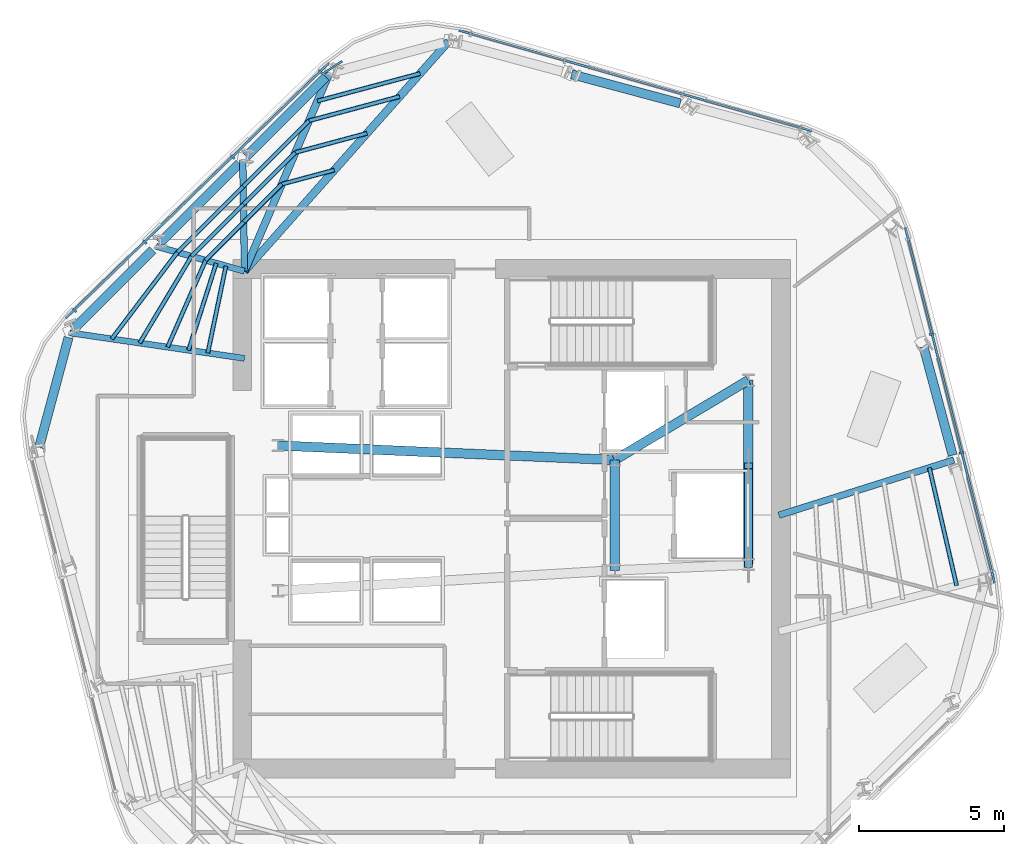
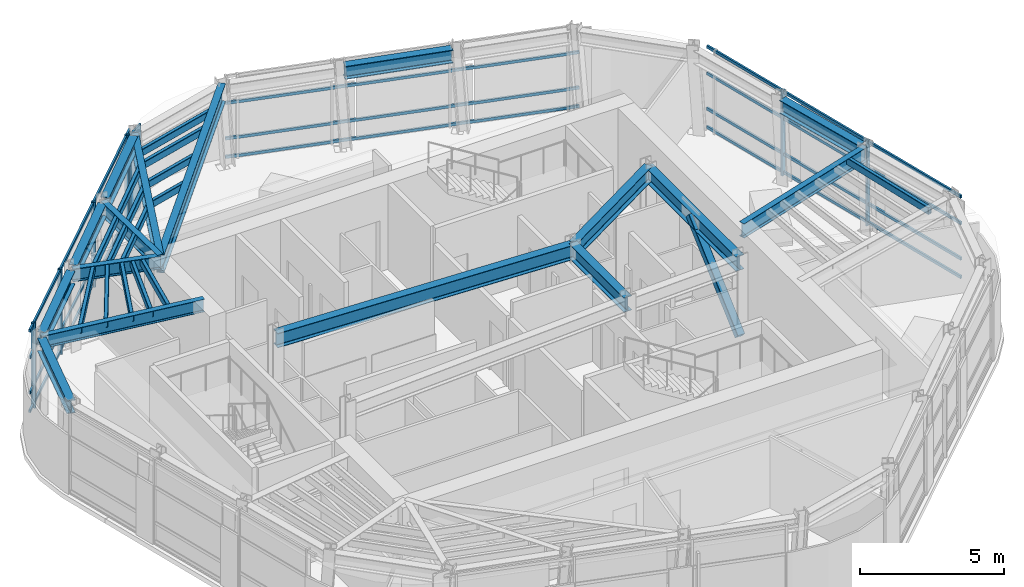
# One storey, part 4 of 14: 35 members, 16 beams, 3 elements without a shape of their own.
"""IFC4 building model written with IfcOpenShell, lengths in metres."""

from ifc_helpers import new_model, si_unit, direction, frame, origin, origin_2d, place, context, subcontext, project, spatial, rectangle, hollow_rectangle, i_section, extrude, material, layer, layer_set, material_profile, profile_set, type_object, element, aggregate, save


model = new_model("IFC4")

# Units and contexts
model_context = context("Model", 3, precision=1e-05, world=origin(), true_north=direction((0.0, 1.0)))
body_context = subcontext(model_context, "Body", "Model", "MODEL_VIEW")
ifc_project = project(units=[si_unit("LENGTHUNIT", "METRE"), si_unit("AREAUNIT", "SQUARE_METRE"), si_unit("VOLUMEUNIT", "CUBIC_METRE"), si_unit("PLANEANGLEUNIT", "RADIAN"), si_unit("MASSUNIT", "GRAM", prefix="KILO")], contexts=[model_context])

# Site, building, storey
site_placement = place(None, origin())
site = spatial("IfcSite", under=ifc_project, at=site_placement, CompositionType="ELEMENT")
building_placement = place(site_placement, origin())
building = spatial("IfcBuilding", under=site, at=building_placement, Name="Valkerne Bourse Tower", CompositionType="ELEMENT")
storey_placement = place(building_placement, frame((0.0, 0.0, 213.199951171875)))
storey = spatial("IfcBuildingStorey", under=building, at=storey_placement, Name="L54", CompositionType="ELEMENT", Elevation=213.199951171875)

# Beams
ifc_material_1 = material(Name="Steel ASTM A992", Category="steel")
ifc_material_profile_1 = material_profile(ifc_material_1, i_section(OverallWidth=0.31494140625, OverallDepth=0.5537109375, WebThickness=0.0166015625, FlangeThickness=0.026123046875, FilletRadius=0.020263671875, at=origin_2d()), Name="W21X132")
ifc_profile_set_1 = profile_set([ifc_material_profile_1], Name="Steel ASTM A992")
beam_type_1 = type_object("IfcBeamType", Name="BM-W21X132", PredefinedType="BEAM", material=ifc_profile_set_1)
beam_1_placement = place(storey_placement, frame((52.603759765625, 41.1796875, 3.3232421875), z_axis=(-0.965921312732, 0.258835889338, 0.0), x_axis=(-0.258835889338, -0.965921312732, 0.0)))
element("IfcBeam", 1, at=beam_1_placement, inside=storey, type_object=beam_type_1, Name="L54 Hexagonal Spandrel Ring Beam 01", PredefinedType="BEAM", context=body_context, shape_type="SweptSolid", body=[
    extrude(i_section(OverallWidth=0.31494140625, OverallDepth=0.5537109375, WebThickness=0.0166015625, FlangeThickness=0.026123046875, FilletRadius=0.020263671875, at=origin_2d()), origin(), (0.0, 0.0, 1.0), 3.871826171875),
])
for number, where, z_axis, x_axis, name in (
    (2, (40.400146484375, 42.094482421875, 3.3232421875), (-0.707106781187, -0.707106781187, 0.0), (0.707106781187, -0.707106781187, 0.0), "L54 Hexagonal Spandrel Ring Beam 04"),
    (3, (37.421875, 39.1162109375, 3.3232421875), (-0.707106781187, -0.707106781187, 0.0), (0.707106781187, -0.707106781187, 0.0), "L54 Hexagonal Spandrel Ring Beam 05"),
    (4, (34.443603515625, 36.1376953125, 3.3232421875), (-0.707138306935, -0.707075254032, 0.0), (0.707075254032, -0.707138306935, 0.0), "L54 Hexagonal Spandrel Ring Beam 06"),
):
    element("IfcBeam", number, at=place(storey_placement, frame(where, z_axis=z_axis, x_axis=x_axis)), inside=storey, type_object=beam_type_1, Name=name, PredefinedType="BEAM", context=body_context, shape_type="SweptSolid", body=[
        extrude(i_section(OverallWidth=0.31494140625, OverallDepth=0.5537109375, WebThickness=0.0166015625, FlangeThickness=0.026123046875, FilletRadius=0.020263671875, at=origin_2d()), origin(), (0.0, 0.0, 1.0), 3.8720703125),
    ])
beam_2_placement = place(storey_placement, frame((31.54150390625, 33.115478515625, 3.3232421875), z_axis=(-0.258873209691, -0.965911311304, 0.0), x_axis=(0.965911311304, -0.258873209691, 0.0)))
element("IfcBeam", 5, at=beam_2_placement, inside=storey, type_object=beam_type_1, Name="L54 Hexagonal Spandrel Ring Beam 07", PredefinedType="BEAM", context=body_context, shape_type="SweptSolid", body=[
    extrude(i_section(OverallWidth=0.31494140625, OverallDepth=0.5537109375, WebThickness=0.0166015625, FlangeThickness=0.026123046875, FilletRadius=0.020263671875, at=origin_2d()), origin(), (0.0, 0.0, 1.0), 3.915771484375),
])
beam_3_placement = place(storey_placement, frame((61.98193359375, 29.063720703125, 3.3232421875), z_axis=(-0.258835889338, 0.965921312732, 0.0), x_axis=(-0.965921312732, -0.258835889338, 0.0)))
element("IfcBeam", 6, at=beam_3_placement, inside=storey, type_object=beam_type_1, Name="L54 Hexagonal Spandrel Ring Beam 21", PredefinedType="BEAM", context=body_context, shape_type="SweptSolid", body=[
    extrude(i_section(OverallWidth=0.31494140625, OverallDepth=0.5537109375, WebThickness=0.0166015625, FlangeThickness=0.026123046875, FilletRadius=0.020263671875, at=origin_2d()), origin(), (0.0, 0.0, 1.0), 3.871826171875),
])
ifc_material_profile_2 = material_profile(ifc_material_1, i_section(OverallWidth=0.209228515625, OverallDepth=0.533447265625, WebThickness=0.01025390625, FlangeThickness=0.015625, FilletRadius=0.017822265625, at=origin_2d()), Name="W21X62")
ifc_profile_set_2 = profile_set([ifc_material_profile_2], Name="Steel ASTM A992")
beam_type_2 = type_object("IfcBeamType", Name="BM-W21X62", PredefinedType="JOIST", material=ifc_profile_set_2)
beam_4_placement = place(storey_placement, frame((31.58544921875, 33.279541015625, 3.333251953125), z_axis=(0.989474112748, -0.144709986533, 0.0), x_axis=(0.144709986533, 0.989474112748, 0.0)))
element("IfcBeam", 7, at=beam_4_placement, inside=storey, type_object=beam_type_2, Name="L54 Radial Composite Floor Beam 07", PredefinedType="JOIST", context=body_context, shape_type="SweptSolid", body=[
    extrude(i_section(OverallWidth=0.209228515625, OverallDepth=0.533447265625, WebThickness=0.01025390625, FlangeThickness=0.015625, FilletRadius=0.017822265625, at=origin_2d()), origin(), (0.0, 0.0, 1.0), 6.07861328125),
])
ifc_material_profile_3 = material_profile(ifc_material_1, i_section(OverallWidth=0.2138671875, OverallDepth=0.548583984375, WebThickness=0.0146484375, FlangeThickness=0.023681640625, FilletRadius=0.017822265625, at=origin_2d()), Name="W21X93")
ifc_profile_set_3 = profile_set([ifc_material_profile_3], Name="Steel ASTM A992")
beam_type_3 = type_object("IfcBeamType", Name="BM-W21X93", PredefinedType="BEAM", material=ifc_profile_set_3)
beam_5_placement = place(storey_placement, frame((34.563720703125, 36.258056640625, 3.32568359375), z_axis=(0.962305441165, -0.271971024017, 0.0), x_axis=(0.271971024017, 0.962305441165, 0.0)))
element("IfcBeam", 8, at=beam_5_placement, inside=storey, type_object=beam_type_3, Name="L54 Radial Composite Floor Beam 06", PredefinedType="BEAM", context=body_context, shape_type="SweptSolid", body=[
    extrude(i_section(OverallWidth=0.2138671875, OverallDepth=0.548583984375, WebThickness=0.0146484375, FlangeThickness=0.023681640625, FilletRadius=0.017822265625, at=origin_2d()), origin(), (0.0, 0.0, 1.0), 3.1552734375),
])
ifc_material_profile_4 = material_profile(ifc_material_1, i_section(OverallWidth=0.3251953125, OverallDepth=0.612060546875, WebThickness=0.0126953125, FlangeThickness=0.01904296875, FilletRadius=0.020263671875, at=origin_2d()), Name="W24X104")
ifc_profile_set_4 = profile_set([ifc_material_profile_4], Name="Steel ASTM A992")
beam_type_4 = type_object("IfcBeamType", Name="BM-W24X104", PredefinedType="BEAM", material=ifc_profile_set_4)
beam_6_placement = place(storey_placement, frame((50.35009765625, 25.10009765625, 3.2939453125), z_axis=(0.0, 1.0, 0.0), x_axis=(-1.0, 0.0, 0.0)))
element("IfcBeam", 9, at=beam_6_placement, inside=storey, type_object=beam_type_4, Name="L54 Core Frame Girder CG-CE", PredefinedType="BEAM", context=body_context, shape_type="SweptSolid", body=[
    extrude(i_section(OverallWidth=0.3251953125, OverallDepth=0.612060546875, WebThickness=0.0126953125, FlangeThickness=0.01904296875, FilletRadius=0.020263671875, at=origin_2d()), origin(), (0.0, 0.0, 1.0), 3.7998046875),
])
beam_7_placement = place(storey_placement, frame((50.35009765625, 28.89990234375, 3.2939453125), z_axis=(0.858307823492, 0.513135148019, 0.0), x_axis=(-0.513135148019, 0.858307823492, 0.0)))
element("IfcBeam", 10, at=beam_7_placement, inside=storey, type_object=beam_type_4, Name="L54 Core Frame Girder CG-NE", PredefinedType="BEAM", context=body_context, shape_type="SweptSolid", body=[
    extrude(i_section(OverallWidth=0.3251953125, OverallDepth=0.612060546875, WebThickness=0.0126953125, FlangeThickness=0.01904296875, FilletRadius=0.020263671875, at=origin_2d()), origin(), (0.0, 0.0, 1.0), 5.359130859375),
])
beam_8_placement = place(storey_placement, frame((54.949951171875, 25.300048828125, 3.2939453125), z_axis=(0.0, 1.0, 0.0), x_axis=(-1.0, 0.0, 0.0)))
element("IfcBeam", 11, at=beam_8_placement, inside=storey, type_object=beam_type_4, Name="L54 Core Frame Girder CG-EE", PredefinedType="BEAM", context=body_context, shape_type="SweptSolid", body=[
    extrude(i_section(OverallWidth=0.3251953125, OverallDepth=0.612060546875, WebThickness=0.0126953125, FlangeThickness=0.01904296875, FilletRadius=0.020263671875, at=origin_2d()), origin(), (0.0, 0.0, 1.0), 6.349853515625),
])
beam_9_placement = place(storey_placement, frame((38.75, 29.39990234375, 3.2939453125), z_axis=(0.999072354402, -0.043063101019, 0.0), x_axis=(0.043063101019, 0.999072354402, 0.0)))
element("IfcBeam", 12, at=beam_9_placement, inside=storey, type_object=beam_type_4, Name="L54 Core Frame Girder CG-NW", PredefinedType="BEAM", context=body_context, shape_type="SweptSolid", body=[
    extrude(i_section(OverallWidth=0.3251953125, OverallDepth=0.612060546875, WebThickness=0.0126953125, FlangeThickness=0.01904296875, FilletRadius=0.020263671875, at=origin_2d()), origin(), (0.0, 0.0, 1.0), 11.61083984375),
])
ifc_material_profile_5 = material_profile(ifc_material_1, i_section(OverallWidth=0.228271484375, OverallDepth=0.607177734375, WebThickness=0.01123046875, FlangeThickness=0.017333984375, FilletRadius=0.017822265625, at=origin_2d()), Name="W24X76")
ifc_profile_set_5 = profile_set([ifc_material_profile_5], Name="Steel ASTM A992")
beam_type_5 = type_object("IfcBeamType", Name="BM-W24X76", PredefinedType="JOIST", material=ifc_profile_set_5)
beam_10_placement = place(storey_placement, frame((37.5419921875, 39.236328125, 3.296630859375), z_axis=(0.015143993058, -0.999885323162, 0.0), x_axis=(0.999885323162, 0.015143993058, 0.0)))
element("IfcBeam", 13, at=beam_10_placement, inside=storey, type_object=beam_type_5, Name="L54 Radial Composite Floor Beam 05", PredefinedType="JOIST", context=body_context, shape_type="SweptSolid", body=[
    extrude(i_section(OverallWidth=0.228271484375, OverallDepth=0.607177734375, WebThickness=0.01123046875, FlangeThickness=0.017333984375, FilletRadius=0.017822265625, at=origin_2d()), origin(), (0.0, 0.0, 1.0), 3.8369140625),
])
beam_11_placement = place(storey_placement, frame((62.02587890625, 28.8994140625, 3.296630859375), z_axis=(-0.953741379795, -0.300628309489, 0.0), x_axis=(0.300628309489, -0.953741379795, 0.0)))
element("IfcBeam", 14, at=beam_11_placement, inside=storey, type_object=beam_type_5, Name="L54 Radial Composite Floor Beam 21", PredefinedType="JOIST", context=body_context, shape_type="SweptSolid", body=[
    extrude(i_section(OverallWidth=0.228271484375, OverallDepth=0.607177734375, WebThickness=0.01123046875, FlangeThickness=0.017333984375, FilletRadius=0.017822265625, at=origin_2d()), origin(), (0.0, 0.0, 1.0), 6.318115234375),
])
ifc_material_profile_6 = material_profile(ifc_material_1, i_section(OverallWidth=0.255859375, OverallDepth=0.693359375, WebThickness=0.014404296875, FlangeThickness=0.023681640625, FilletRadius=0.02294921875, at=origin_2d()), Name="W27X114")
ifc_profile_set_6 = profile_set([ifc_material_profile_6], Name="Steel ASTM A992")
beam_type_6 = type_object("IfcBeamType", Name="BM-W27X114", PredefinedType="BEAM", material=ifc_profile_set_6)
beam_12_placement = place(storey_placement, frame((40.5205078125, 42.214599609375, 3.25341796875), z_axis=(-0.393899427401, -0.919153545983, 0.0), x_axis=(0.919153545983, -0.393899427401, 0.0)))
element("IfcBeam", 15, at=beam_12_placement, inside=storey, type_object=beam_type_6, Name="L54 Radial Composite Floor Beam 04", PredefinedType="BEAM", context=body_context, shape_type="SweptSolid", body=[
    extrude(i_section(OverallWidth=0.255859375, OverallDepth=0.693359375, WebThickness=0.014404296875, FlangeThickness=0.023681640625, FilletRadius=0.02294921875, at=origin_2d()), origin(), (0.0, 0.0, 1.0), 7.4140625),
])
ifc_material_profile_7 = material_profile(ifc_material_1, i_section(OverallWidth=0.26806640625, OverallDepth=0.76953125, WebThickness=0.015625, FlangeThickness=0.025390625, FilletRadius=0.025390625, at=origin_2d()), Name="W30X132")
ifc_profile_set_7 = profile_set([ifc_material_profile_7], Name="Steel ASTM A992")
beam_type_7 = type_object("IfcBeamType", Name="BM-W30X132", PredefinedType="BEAM", material=ifc_profile_set_7)
beam_13_placement = place(storey_placement, frame((44.631103515625, 43.316162109375, 3.21533203125), z_axis=(-0.664064659905, -0.747675148353, 0.0), x_axis=(0.747675148353, -0.664064659905, 0.0)))
element("IfcBeam", 16, at=beam_13_placement, inside=storey, type_object=beam_type_7, Name="L54 Radial Composite Floor Beam 03", PredefinedType="BEAM", context=body_context, shape_type="SweptSolid", body=[
    extrude(i_section(OverallWidth=0.26806640625, OverallDepth=0.76953125, WebThickness=0.015625, FlangeThickness=0.025390625, FilletRadius=0.025390625, at=origin_2d()), origin(), (0.0, 0.0, 1.0), 10.587890625),
])

# Curtain wall, members
ifc_material_2 = material(Name="Aluminium AA 6063-T6", Category="aluminium")
ifc_layer = layer(ifc_material_2, 0.239990234375)
ifc_layer_set = layer_set([ifc_layer], Name="Aluminium AA 6063-T6")
curtain_wall_type = type_object("IfcCurtainWallType", Name="CW-04", PredefinedType="NOTDEFINED", material=ifc_layer_set)
curtain_wall_1_placement = place(storey_placement, origin())
curtain_wall_1 = element("IfcCurtainWall", 17, at=curtain_wall_1_placement, inside=storey, type_object=curtain_wall_type, Name="L54 Hexagonal Stick Curtain Wall Face 2", PredefinedType="NOTDEFINED")
ifc_material_profile_8 = material_profile(ifc_material_2, rectangle(XDim=0.074951171875, YDim=0.159912109375, at=origin_2d()), Name="CWM-75X160")
ifc_profile_set_8 = profile_set([ifc_material_profile_8], Name="Aluminium AA 6063-T6")
member_type_1 = type_object("IfcMemberType", Name="CW-MUL-160X75", PredefinedType="MULLION", material=ifc_profile_set_8)
member_1_placement = place(storey_placement, frame((40.221923828125, 42.26318359375, 0.0), z_axis=(0.0, 0.0, 1.0), x_axis=(-0.718118967108, -0.695920361161, 0.0)))
member_1 = element("IfcMember", 18, at=member_1_placement, type_object=member_type_1, Name="CW-L54-F2 Jamb Mullion 00A", PredefinedType="MULLION", context=body_context, shape_type="SweptSolid", body=[
    extrude(rectangle(XDim=0.074951171875, YDim=0.159912109375, at=origin_2d()), origin(), (0.0, 0.0, 1.0), 3.60009765625),
])
member_2_placement = place(storey_placement, frame((37.197265625, 39.33203125, 0.0), z_axis=(0.0, 0.0, 1.0), x_axis=(-0.718130465105, -0.695908496203, 0.0)))
member_2 = element("IfcMember", 19, at=member_2_placement, type_object=member_type_1, Name="CW-L54-F2 Jamb Mullion 01A", PredefinedType="MULLION", context=body_context, shape_type="SweptSolid", body=[
    extrude(rectangle(XDim=0.074951171875, YDim=0.159912109375, at=origin_2d()), origin(), (0.0, 0.0, 1.0), 3.60009765625),
])
member_3_placement = place(storey_placement, frame((34.17236328125, 36.40087890625, 0.0), z_axis=(0.0, 0.0, 1.0), x_axis=(-0.718118967108, -0.695920361161, 0.0)))
member_3 = element("IfcMember", 20, at=member_3_placement, type_object=member_type_1, Name="CW-L54-F2 Jamb Mullion 02A", PredefinedType="MULLION", context=body_context, shape_type="SweptSolid", body=[
    extrude(rectangle(XDim=0.074951171875, YDim=0.159912109375, at=origin_2d()), origin(), (0.0, 0.0, 1.0), 3.60009765625),
])
member_4_placement = place(storey_placement, frame((31.7509765625, 34.05419921875, 0.0), z_axis=(0.0, 0.0, 1.0), x_axis=(-0.718118967108, -0.695920361161, 0.0)))
member_4 = element("IfcMember", 21, at=member_4_placement, type_object=member_type_1, Name="CW-L54-F2 Jamb Mullion 02B", PredefinedType="MULLION", context=body_context, shape_type="SweptSolid", body=[
    extrude(rectangle(XDim=0.074951171875, YDim=0.159912109375, at=origin_2d()), origin(), (0.0, 0.0, 1.0), 3.60009765625),
])

curtain_wall_2_placement = place(storey_placement, origin())
curtain_wall_2 = element("IfcCurtainWall", 22, at=curtain_wall_2_placement, inside=storey, type_object=curtain_wall_type, Name="L54 Hexagonal Stick Curtain Wall Face 6", PredefinedType="NOTDEFINED")
member_5_placement = place(storey_placement, frame((62.28125, 29.150390625, 0.0), z_axis=(0.0, 0.0, 1.0), x_axis=(-0.243613627949, 0.96987236288, 0.0)))
member_5 = element("IfcMember", 23, at=member_5_placement, type_object=member_type_1, Name="CW-L54-F6 Jamb Mullion 01A", PredefinedType="MULLION", context=body_context, shape_type="SweptSolid", body=[
    extrude(rectangle(XDim=0.074951171875, YDim=0.159912109375, at=origin_2d()), origin(), (0.0, 0.0, 1.0), 3.60009765625),
])
member_6_placement = place(storey_placement, frame((61.255126953125, 33.2353515625, 0.0), z_axis=(0.0, 0.0, 1.0), x_axis=(-0.243613627949, 0.96987236288, 0.0)))
member_6 = element("IfcMember", 24, at=member_6_placement, type_object=member_type_1, Name="CW-L54-F6 Jamb Mullion 02A", PredefinedType="MULLION", context=body_context, shape_type="SweptSolid", body=[
    extrude(rectangle(XDim=0.074951171875, YDim=0.159912109375, at=origin_2d()), origin(), (0.0, 0.0, 1.0), 3.60009765625),
])

curtain_wall_3_placement = place(storey_placement, origin())
curtain_wall_3 = element("IfcCurtainWall", 25, at=curtain_wall_3_placement, inside=storey, type_object=curtain_wall_type, Name="L54 Hexagonal Stick Curtain Wall Face 1", PredefinedType="NOTDEFINED")
ifc_material_profile_9 = material_profile(ifc_material_2, rectangle(XDim=0.074951171875, YDim=0.1201171875, at=origin_2d()), Name="CWT-75X120")
ifc_profile_set_9 = profile_set([ifc_material_profile_9], Name="Aluminium AA 6063-T6")
member_type_2 = type_object("IfcMemberType", Name="CW-TRN-120X75", PredefinedType="USERDEFINED", material=ifc_profile_set_9)
member_7_placement = place(storey_placement, frame((57.138671875, 40.232666015625, 0.1201171875), z_axis=(-0.961743098626, 0.273952938012, 0.0), x_axis=(-0.273952938012, -0.961743098626, 0.0)))
member_7 = element("IfcMember", 26, at=member_7_placement, type_object=member_type_2, Name="CW-L54-F1 Continuous Face Transom 1", ObjectType="TRANSOM", PredefinedType="USERDEFINED", context=body_context, shape_type="SweptSolid", body=[
    extrude(rectangle(XDim=0.074951171875, YDim=0.1201171875, at=origin_2d()), origin(), (0.0, 0.0, 1.0), 12.635986328125),
])
member_8_placement = place(storey_placement, frame((57.138671875, 40.232666015625, 0.900146484375), z_axis=(-0.961743098626, 0.273952938012, 0.0), x_axis=(-0.273952938012, -0.961743098626, 0.0)))
member_8 = element("IfcMember", 27, at=member_8_placement, type_object=member_type_2, Name="CW-L54-F1 Continuous Face Transom 2", ObjectType="TRANSOM", PredefinedType="USERDEFINED", context=body_context, shape_type="SweptSolid", body=[
    extrude(rectangle(XDim=0.074951171875, YDim=0.1201171875, at=origin_2d()), origin(), (0.0, 0.0, 1.0), 12.635986328125),
])
member_9_placement = place(storey_placement, frame((57.138671875, 40.232666015625, 2.400146484375), z_axis=(-0.961743098626, 0.273952938012, 0.0), x_axis=(-0.273952938012, -0.961743098626, 0.0)))
member_9 = element("IfcMember", 28, at=member_9_placement, type_object=member_type_2, Name="CW-L54-F1 Continuous Face Transom 3", ObjectType="TRANSOM", PredefinedType="USERDEFINED", context=body_context, shape_type="SweptSolid", body=[
    extrude(rectangle(XDim=0.074951171875, YDim=0.1201171875, at=origin_2d()), origin(), (0.0, 0.0, 1.0), 12.635986328125),
])
aggregate(curtain_wall_3, [member_7, member_8, member_9])

# Member
member_10_placement = place(storey_placement, frame((40.509521484375, 42.56982421875, 0.1201171875), z_axis=(-0.718129172895, -0.695909829674, 0.0), x_axis=(0.695909829674, -0.718129172895, 0.0)))
member_10 = element("IfcMember", 29, at=member_10_placement, type_object=member_type_2, Name="CW-L54-F2 Continuous Face Transom 1", ObjectType="TRANSOM", PredefinedType="USERDEFINED", context=body_context, shape_type="SweptSolid", body=[
    extrude(rectangle(XDim=0.074951171875, YDim=0.1201171875, at=origin_2d()), origin(), (0.0, 0.0, 1.0), 12.635986328125),
])

member_11_placement = place(storey_placement, frame((40.509521484375, 42.56982421875, 0.900146484375), z_axis=(-0.718129172895, -0.695909829674, 0.0), x_axis=(0.695909829674, -0.718129172895, 0.0)))
member_11 = element("IfcMember", 30, at=member_11_placement, type_object=member_type_2, Name="CW-L54-F2 Continuous Face Transom 2", ObjectType="TRANSOM", PredefinedType="USERDEFINED", context=body_context, shape_type="SweptSolid", body=[
    extrude(rectangle(XDim=0.074951171875, YDim=0.1201171875, at=origin_2d()), origin(), (0.0, 0.0, 1.0), 12.635986328125),
])

member_12_placement = place(storey_placement, frame((40.509521484375, 42.56982421875, 2.400146484375), z_axis=(-0.718129172895, -0.695909829674, 0.0), x_axis=(0.695909829674, -0.718129172895, 0.0)))
member_12 = element("IfcMember", 31, at=member_12_placement, type_object=member_type_2, Name="CW-L54-F2 Continuous Face Transom 3", ObjectType="TRANSOM", PredefinedType="USERDEFINED", context=body_context, shape_type="SweptSolid", body=[
    extrude(rectangle(XDim=0.074951171875, YDim=0.1201171875, at=origin_2d()), origin(), (0.0, 0.0, 1.0), 12.635986328125),
])

member_13_placement = place(storey_placement, frame((40.509521484375, 42.56982421875, 3.52001953125), z_axis=(-0.718129172895, -0.695909829674, 0.0), x_axis=(0.695909829674, -0.718129172895, 0.0)))
member_13 = element("IfcMember", 32, at=member_13_placement, type_object=member_type_2, Name="CW-L54-F2 Continuous Face Transom 4", ObjectType="TRANSOM", PredefinedType="USERDEFINED", context=body_context, shape_type="SweptSolid", body=[
    extrude(rectangle(XDim=0.074951171875, YDim=0.1201171875, at=origin_2d()), origin(), (0.0, 0.0, 1.0), 12.635986328125),
])

aggregate(curtain_wall_1, [member_10, member_11, member_12, member_13, member_1, member_2, member_3, member_4])

member_14_placement = place(storey_placement, frame((63.42919921875, 24.66259765625, 0.1201171875), z_axis=(-0.243617445566, 0.969871403958, 0.0), x_axis=(-0.969871403958, -0.243617445566, 0.0)))
member_14 = element("IfcMember", 33, at=member_14_placement, type_object=member_type_2, Name="CW-L54-F6 Continuous Face Transom 1", ObjectType="TRANSOM", PredefinedType="USERDEFINED", context=body_context, shape_type="SweptSolid", body=[
    extrude(rectangle(XDim=0.074951171875, YDim=0.1201171875, at=origin_2d()), origin(), (0.0, 0.0, 1.0), 12.635986328125),
])

member_15_placement = place(storey_placement, frame((63.42919921875, 24.66259765625, 0.900146484375), z_axis=(-0.243617445566, 0.969871403958, 0.0), x_axis=(-0.969871403958, -0.243617445566, 0.0)))
member_15 = element("IfcMember", 34, at=member_15_placement, type_object=member_type_2, Name="CW-L54-F6 Continuous Face Transom 2", ObjectType="TRANSOM", PredefinedType="USERDEFINED", context=body_context, shape_type="SweptSolid", body=[
    extrude(rectangle(XDim=0.074951171875, YDim=0.1201171875, at=origin_2d()), origin(), (0.0, 0.0, 1.0), 12.635986328125),
])

member_16_placement = place(storey_placement, frame((63.42919921875, 24.66259765625, 2.400146484375), z_axis=(-0.243617445566, 0.969871403958, 0.0), x_axis=(-0.969871403958, -0.243617445566, 0.0)))
member_16 = element("IfcMember", 35, at=member_16_placement, type_object=member_type_2, Name="CW-L54-F6 Continuous Face Transom 3", ObjectType="TRANSOM", PredefinedType="USERDEFINED", context=body_context, shape_type="SweptSolid", body=[
    extrude(rectangle(XDim=0.074951171875, YDim=0.1201171875, at=origin_2d()), origin(), (0.0, 0.0, 1.0), 12.635986328125),
])

member_17_placement = place(storey_placement, frame((63.42919921875, 24.66259765625, 3.52001953125), z_axis=(-0.243617445566, 0.969871403958, 0.0), x_axis=(-0.969871403958, -0.243617445566, 0.0)))
member_17 = element("IfcMember", 36, at=member_17_placement, type_object=member_type_2, Name="CW-L54-F6 Continuous Face Transom 4", ObjectType="TRANSOM", PredefinedType="USERDEFINED", context=body_context, shape_type="SweptSolid", body=[
    extrude(rectangle(XDim=0.074951171875, YDim=0.1201171875, at=origin_2d()), origin(), (0.0, 0.0, 1.0), 12.635986328125),
])

aggregate(curtain_wall_2, [member_14, member_15, member_16, member_17, member_5, member_6])

# Members
ifc_material_3 = material(Name="Bronze Anodised Aluminium AA 6063-T6", Category="aluminium")
ifc_material_profile_10 = material_profile(ifc_material_3, rectangle(XDim=0.06494140625, YDim=0.75, at=origin_2d()), Name="FIN-65X750")
ifc_profile_set_10 = profile_set([ifc_material_profile_10], Name="Bronze Anodised Aluminium AA 6063-T6")
member_type_3 = type_object("IfcMemberType", Name="FIN-SOLAR-650", PredefinedType="USERDEFINED", material=ifc_profile_set_10)
member_18_placement = place(storey_placement, frame((40.648681640625, 42.42626953125, 0.004150390625), z_axis=(0.0, 0.0, 1.0), x_axis=(-0.539455679806, 0.842013996039, 0.0)))
element("IfcMember", 37, at=member_18_placement, inside=storey, type_object=member_type_3, Name="L54 Bronze Anodised Solar Fin F2-00", ObjectType="SOLAR_FIN", PredefinedType="USERDEFINED", context=body_context, shape_type="SweptSolid", body=[
    extrude(rectangle(XDim=0.06494140625, YDim=0.75, at=origin_2d()), origin(), (0.0, 0.0, 1.0), 3.591796875),
])
ifc_material_4 = material(Name="Steel ASTM A500 Grade C", Category="steel")
ifc_material_profile_11 = material_profile(ifc_material_4, hollow_rectangle(XDim=0.14990234375, YDim=0.300048828125, WallThickness=0.012451171875, OuterFilletRadius=0.02490234375, at=origin_2d()), Name="HSS300X150X12.5")
ifc_profile_set_11 = profile_set([ifc_material_profile_11], Name="Steel ASTM A500 Grade C")
member_type_4 = type_object("IfcMemberType", Name="MBR-HSS300X150X12.5", PredefinedType="PURLIN", material=ifc_profile_set_11)
member_19_placement = place(storey_placement, frame((36.62841796875, 35.674560546875, 3.43994140625), z_axis=(-0.303421792364, -0.952856345898, 0.0), x_axis=(0.952856345898, -0.303421792364, 0.0)))
element("IfcMember", 38, at=member_19_placement, inside=storey, type_object=member_type_4, Name="L54 Secondary Composite Floor Purlin I-06", PredefinedType="PURLIN", context=body_context, shape_type="SweptSolid", body=[
    extrude(hollow_rectangle(XDim=0.14990234375, YDim=0.300048828125, WallThickness=0.012451171875, OuterFilletRadius=0.02490234375, at=origin_2d()), origin(), (0.0, 0.0, 1.0), 3.141357421875),
])
member_20_placement = place(storey_placement, frame((40.693603515625, 38.883056640625, 3.43994140625), z_axis=(-0.965924770698, -0.258822984589, 0.0), x_axis=(0.258822984589, -0.965924770698, 0.0)))
element("IfcMember", 39, at=member_20_placement, inside=storey, type_object=member_type_4, Name="L54 Secondary Composite Floor Purlin K-03", PredefinedType="PURLIN", context=body_context, shape_type="SweptSolid", body=[
    extrude(hollow_rectangle(XDim=0.14990234375, YDim=0.300048828125, WallThickness=0.012451171875, OuterFilletRadius=0.02490234375, at=origin_2d()), origin(), (0.0, 0.0, 1.0), 1.872314453125),
])
for number, where, z_axis, x_axis, name in (
    (40, (38.885009765625, 38.3984375, 3.43994140625), (-0.707106781187, -0.707106781187, 0.0), (0.707106781187, -0.707106781187, 0.0), "L54 Secondary Composite Floor Purlin K-04"),
    (41, (37.574462890625, 37.087890625, 3.43994140625), (-0.707172647404, -0.707040908833, 0.0), (0.707040908833, -0.707172647404, 0.0), "L54 Secondary Composite Floor Purlin K-05"),
):
    element("IfcMember", number, at=place(storey_placement, frame(where, z_axis=z_axis, x_axis=x_axis)), inside=storey, type_object=member_type_4, Name=name, PredefinedType="PURLIN", context=body_context, shape_type="SweptSolid", body=[
        extrude(hollow_rectangle(XDim=0.14990234375, YDim=0.300048828125, WallThickness=0.012451171875, OuterFilletRadius=0.02490234375, at=origin_2d()), origin(), (0.0, 0.0, 1.0), 1.853271484375),
    ])
member_21_placement = place(storey_placement, frame((36.263916015625, 35.777587890625, 3.43994140625), z_axis=(-0.40132480054, -0.915935808052, 0.0), x_axis=(0.915935808052, -0.40132480054, 0.0)))
element("IfcMember", 42, at=member_21_placement, inside=storey, type_object=member_type_4, Name="L54 Secondary Composite Floor Purlin K-06", PredefinedType="PURLIN", context=body_context, shape_type="SweptSolid", body=[
    extrude(hollow_rectangle(XDim=0.14990234375, YDim=0.300048828125, WallThickness=0.012451171875, OuterFilletRadius=0.02490234375, at=origin_2d()), origin(), (0.0, 0.0, 1.0), 3.264892578125),
])
member_22_placement = place(storey_placement, frame((42.943603515625, 41.416259765625, 3.43994140625), z_axis=(-0.965919746872, -0.258841732731, 0.0), x_axis=(0.258841732731, -0.965919746872, 0.0)))
element("IfcMember", 43, at=member_22_placement, inside=storey, type_object=member_type_4, Name="L54 Secondary Composite Floor Purlin O-03", PredefinedType="PURLIN", context=body_context, shape_type="SweptSolid", body=[
    extrude(hollow_rectangle(XDim=0.14990234375, YDim=0.300048828125, WallThickness=0.012451171875, OuterFilletRadius=0.02490234375, at=origin_2d()), origin(), (0.0, 0.0, 1.0), 3.234130859375),
])
for number, where, z_axis, x_axis, name in (
    (44, (39.819580078125, 40.5791015625, 3.43994140625), (-0.707144913512, -0.707068646804, 0.0), (0.707068646804, -0.707144913512, 0.0), "L54 Secondary Composite Floor Purlin O-04"),
    (45, (37.555908203125, 38.315673828125, 3.43994140625), (-0.707068646804, -0.707144913512, 0.0), (0.707144913512, -0.707068646804, 0.0), "L54 Secondary Composite Floor Purlin O-05"),
):
    element("IfcMember", number, at=place(storey_placement, frame(where, z_axis=z_axis, x_axis=x_axis)), inside=storey, type_object=member_type_4, Name=name, PredefinedType="PURLIN", context=body_context, shape_type="SweptSolid", body=[
        extrude(hollow_rectangle(XDim=0.14990234375, YDim=0.300048828125, WallThickness=0.012451171875, OuterFilletRadius=0.02490234375, at=origin_2d()), origin(), (0.0, 0.0, 1.0), 3.201171875),
    ])
member_23_placement = place(storey_placement, frame((35.29248046875, 36.052001953125, 3.43994140625), z_axis=(-0.604454967046, -0.796639311617, 0.0), x_axis=(0.796639311617, -0.604454967046, 0.0)))
element("IfcMember", 46, at=member_23_placement, inside=storey, type_object=member_type_4, Name="L54 Secondary Composite Floor Purlin O-06", PredefinedType="PURLIN", context=body_context, shape_type="SweptSolid", body=[
    extrude(hollow_rectangle(XDim=0.14990234375, YDim=0.300048828125, WallThickness=0.012451171875, OuterFilletRadius=0.02490234375, at=origin_2d()), origin(), (0.0, 0.0, 1.0), 3.744873046875),
])
member_24_placement = place(storey_placement, frame((41.818603515625, 40.149658203125, 3.43994140625), z_axis=(-0.965921588945, -0.25883485857, 0.0), x_axis=(0.25883485857, -0.965921588945, 0.0)))
element("IfcMember", 47, at=member_24_placement, inside=storey, type_object=member_type_4, Name="L54 Secondary Composite Floor Purlin Z-03", PredefinedType="PURLIN", context=body_context, shape_type="SweptSolid", body=[
    extrude(hollow_rectangle(XDim=0.14990234375, YDim=0.300048828125, WallThickness=0.012451171875, OuterFilletRadius=0.02490234375, at=origin_2d()), origin(), (0.0, 0.0, 1.0), 2.55322265625),
])
for number, where, z_axis, x_axis, name in (
    (48, (39.352294921875, 39.48876953125, 3.43994140625), (-0.70715508248, -0.707058476594, 0.0), (0.707058476594, -0.70715508248, 0.0), "L54 Secondary Composite Floor Purlin Z-04"),
    (49, (37.565185546875, 37.701904296875, 3.43994140625), (-0.707058476594, -0.70715508248, 0.0), (0.70715508248, -0.707058476594, 0.0), "L54 Secondary Composite Floor Purlin Z-05"),
):
    element("IfcMember", number, at=place(storey_placement, frame(where, z_axis=z_axis, x_axis=x_axis)), inside=storey, type_object=member_type_4, Name=name, PredefinedType="PURLIN", context=body_context, shape_type="SweptSolid", body=[
        extrude(hollow_rectangle(XDim=0.14990234375, YDim=0.300048828125, WallThickness=0.012451171875, OuterFilletRadius=0.02490234375, at=origin_2d()), origin(), (0.0, 0.0, 1.0), 2.527099609375),
    ])
member_25_placement = place(storey_placement, frame((35.7783203125, 35.914794921875, 3.43994140625), z_axis=(-0.513412327263, -0.858142052468, 0.0), x_axis=(0.858142052468, -0.513412327263, 0.0)))
element("IfcMember", 50, at=member_25_placement, inside=storey, type_object=member_type_4, Name="L54 Secondary Composite Floor Purlin Z-06", PredefinedType="PURLIN", context=body_context, shape_type="SweptSolid", body=[
    extrude(hollow_rectangle(XDim=0.14990234375, YDim=0.300048828125, WallThickness=0.012451171875, OuterFilletRadius=0.02490234375, at=origin_2d()), origin(), (0.0, 0.0, 1.0), 3.48095703125),
])
member_26_placement = place(storey_placement, frame((36.96240234375, 35.580078125, 3.43994140625), z_axis=(-0.204409844376, -0.978885394478, 0.0), x_axis=(0.978885394478, -0.204409844376, 0.0)))
element("IfcMember", 51, at=member_26_placement, inside=storey, type_object=member_type_4, Name="L54 Secondary Composite Floor Purlin S-06", PredefinedType="PURLIN", context=body_context, shape_type="SweptSolid", body=[
    extrude(hollow_rectangle(XDim=0.14990234375, YDim=0.300048828125, WallThickness=0.012451171875, OuterFilletRadius=0.02490234375, at=origin_2d()), origin(), (0.0, 0.0, 1.0), 3.06005859375),
])
member_27_placement = place(storey_placement, frame((43.646728515625, 42.207763671875, 3.43994140625), z_axis=(-0.965924230401, -0.258825000964, 0.0), x_axis=(0.258825000964, -0.965924230401, 0.0)))
element("IfcMember", 52, at=member_27_placement, inside=storey, type_object=member_type_4, Name="L54 Secondary Composite Floor Purlin T-03", PredefinedType="PURLIN", context=body_context, shape_type="SweptSolid", body=[
    extrude(hollow_rectangle(XDim=0.14990234375, YDim=0.300048828125, WallThickness=0.012451171875, OuterFilletRadius=0.02490234375, at=origin_2d()), origin(), (0.0, 0.0, 1.0), 3.659912109375),
])
member_28_placement = place(storey_placement, frame((62.119873046875, 24.57470703125, 3.43994140625), z_axis=(-0.225052116257, 0.974346727284, 0.0), x_axis=(-0.974346727284, -0.225052116257, 0.0)))
element("IfcMember", 53, at=member_28_placement, inside=storey, type_object=member_type_4, Name="L54 Secondary Composite Floor Purlin T-20", PredefinedType="PURLIN", context=body_context, shape_type="SweptSolid", body=[
    extrude(hollow_rectangle(XDim=0.14990234375, YDim=0.300048828125, WallThickness=0.012451171875, OuterFilletRadius=0.02490234375, at=origin_2d()), origin(), (0.0, 0.0, 1.0), 4.165771484375),
])
ifc_material_profile_12 = material_profile(ifc_material_4, hollow_rectangle(XDim=0.300048828125, YDim=0.300048828125, WallThickness=0.012451171875, OuterFilletRadius=0.02490234375, at=origin_2d()), Name="HSS300X300X12.5")
ifc_profile_set_12 = profile_set([ifc_material_profile_12], Name="Steel ASTM A500 Grade C")
member_type_5 = type_object("IfcMemberType", Name="MBR-HSS300X300X12.5", PredefinedType="STRUT", material=ifc_profile_set_12)
member_29_placement = place(storey_placement, frame((54.949951171875, 25.300048828125, 0.219970703125), z_axis=(0.0, 0.741766660352, 0.670658051163), x_axis=(-1.0, 0.0, 0.0)))
element("IfcMember", 54, at=member_29_placement, inside=storey, type_object=member_type_5, Name="L54 Core Service Pier Lateral Brace", PredefinedType="STRUT", context=body_context, shape_type="SweptSolid", body=[
    extrude(hollow_rectangle(XDim=0.300048828125, YDim=0.300048828125, WallThickness=0.012451171875, OuterFilletRadius=0.02490234375, at=origin_2d()), origin(), (0.0, 0.0, 1.0), 4.58349609375),
])

save(model, "model.ifc")
